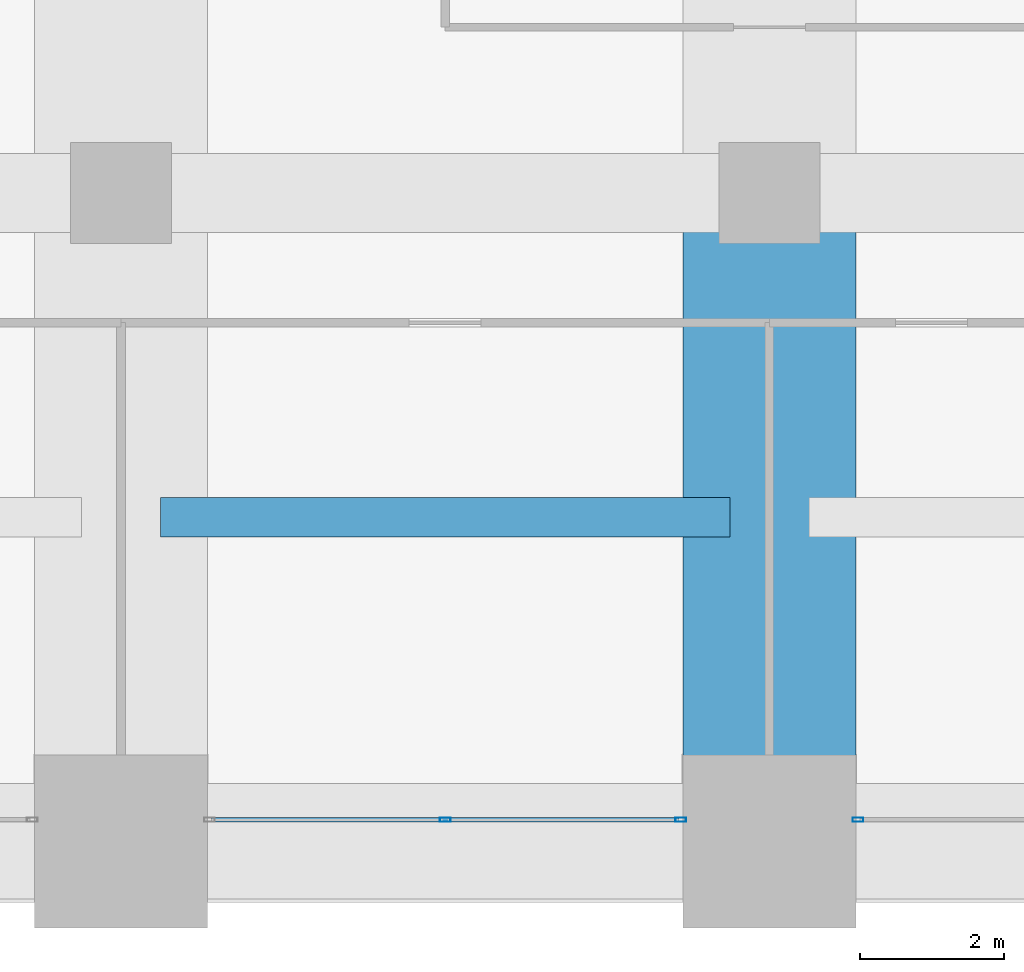
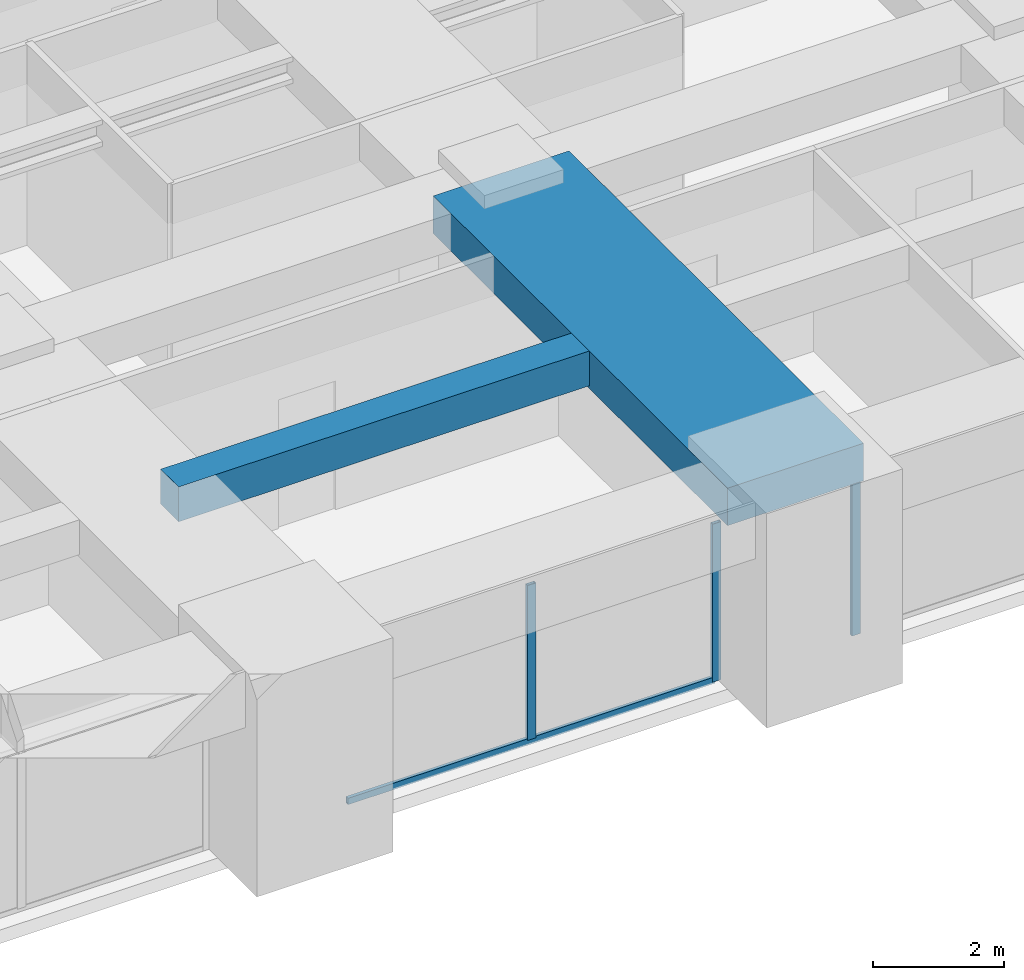
# One storey, part 13 of 35: 4 members, 2 beams, 2 elements without a shape of their own.
"""IFC4 building model written with IfcOpenShell, lengths in metres."""

from ifc_helpers import new_model, si_unit, direction, frame, origin, origin_2d, place, context, subcontext, project, spatial, rectangle, hollow_rectangle, extrude, material, material_profile, profile_set, type_object, element, aggregate, save


model = new_model("IFC4")

# Units and contexts
model_context = context("Model", 3, precision=1e-05, world=origin(), true_north=direction((0.0, 1.0)))
body_context = subcontext(model_context, "Body", "Model", "MODEL_VIEW")
ifc_project = project(units=[si_unit("LENGTHUNIT", "METRE"), si_unit("AREAUNIT", "SQUARE_METRE"), si_unit("VOLUMEUNIT", "CUBIC_METRE"), si_unit("PLANEANGLEUNIT", "RADIAN"), si_unit("MASSUNIT", "GRAM", prefix="KILO")], contexts=[model_context])

# Site, building, storey
site_placement = place(None, origin())
site = spatial("IfcSite", under=ifc_project, at=site_placement, CompositionType="ELEMENT")
building_placement = place(site_placement, origin())
building = spatial("IfcBuilding", under=site, at=building_placement, Name="Zorevar Civic Tower", CompositionType="ELEMENT")
storey_placement = place(building_placement, frame((0.0, 0.0, 218.199951171875)))
storey = spatial("IfcBuildingStorey", under=building, at=storey_placement, Name="L53", CompositionType="ELEMENT", Elevation=218.199951171875)

# Beams
ifc_material_1 = material(Name="Concrete C50/60", Category="concrete")
ifc_material_profile_1 = material_profile(ifc_material_1, rectangle(XDim=2.39990234375, YDim=0.699951171875, at=origin_2d()), Name="RC 2400x700")
ifc_profile_set_1 = profile_set([ifc_material_profile_1], Name="Concrete C50/60")
beam_type_1 = type_object("IfcBeamType", Name="Beam RC 2400x700", PredefinedType="BEAM", material=ifc_profile_set_1)
beam_1_placement = place(storey_placement, frame((36.0, 0.0, 3.400146484375), z_axis=(0.0, 1.0, 0.0), x_axis=(-1.0, 0.0, 0.0)))
element("IfcBeam", 1, at=beam_1_placement, inside=storey, type_object=beam_type_1, Name="Girder L54", PredefinedType="BEAM", context=body_context, shape_type="SweptSolid", body=[
    extrude(rectangle(XDim=2.39990234375, YDim=0.699951171875, at=origin_2d()), origin(), (0.0, 0.0, 1.0), 9.0),
])
ifc_material_2 = material(Name="Concrete C50/60", Category="concrete")
ifc_material_profile_2 = material_profile(ifc_material_2, rectangle(XDim=0.550048828125, YDim=0.64990234375, at=origin_2d()), Name="RC 550x650")
ifc_profile_set_2 = profile_set([ifc_material_profile_2], Name="Concrete C50/60")
beam_type_2 = type_object("IfcBeamType", Name="Beam RC 550x650", PredefinedType="BEAM", material=ifc_profile_set_2)
beam_2_placement = place(storey_placement, frame((27.550048828125, 4.5, 3.425048828125), z_axis=(1.0, 0.0, 0.0), x_axis=(0.0, 1.0, 0.0)))
element("IfcBeam", 2, at=beam_2_placement, inside=storey, type_object=beam_type_2, Name="Secondary beam L54", PredefinedType="BEAM", context=body_context, shape_type="SweptSolid", body=[
    extrude(rectangle(XDim=0.550048828125, YDim=0.64990234375, at=origin_2d()), origin(), (0.0, 0.0, 1.0), 7.89990234375),
])

# Curtain wall, members
ifc_material_3 = material(Name="Dark grey solar-control glass in black aluminium frame", Category="aluminium")
curtain_wall_type = type_object("IfcCurtainWallType", Name="Curtain wall CW4 high zone", PredefinedType="NOTDEFINED", material=ifc_material_3)
curtain_wall_1_placement = place(storey_placement, origin())
curtain_wall_1 = element("IfcCurtainWall", 3, at=curtain_wall_1_placement, inside=storey, type_object=curtain_wall_type, Name="CW4 L53", PredefinedType="NOTDEFINED")
ifc_material_4 = material(Name="Aluminium, black anodised", Category="aluminium")
ifc_material_profile_3 = material_profile(ifc_material_4, hollow_rectangle(XDim=0.06005859375, YDim=0.14990234375, WallThickness=0.00390625, at=origin_2d()), Name="AL 150x60x4")
ifc_profile_set_3 = profile_set([ifc_material_profile_3], Name="Aluminium, black anodised")
member_type_1 = type_object("IfcMemberType", Name="CW4 mullion AL 150x60x4", PredefinedType="MULLION", material=ifc_profile_set_3)
member_1_placement = place(storey_placement, frame((31.5, 0.300048828125, 0.06005859375), z_axis=(0.0, 0.0, 1.0), x_axis=(0.0, 1.0, 0.0)))
member_1 = element("IfcMember", 4, at=member_1_placement, type_object=member_type_1, Name="CW4 mullion 2", PredefinedType="MULLION", context=body_context, shape_type="SweptSolid", body=[
    extrude(hollow_rectangle(XDim=0.06005859375, YDim=0.14990234375, WallThickness=0.00390625, at=origin_2d()), origin(), (0.0, 0.0, 1.0), 2.889892578125),
])
member_2_placement = place(storey_placement, frame((34.77001953125, 0.300048828125, 0.0), z_axis=(0.0, 0.0, 1.0), x_axis=(0.0, 1.0, 0.0)))
member_2 = element("IfcMember", 5, at=member_2_placement, type_object=member_type_1, Name="CW4 mullion 3", PredefinedType="MULLION", context=body_context, shape_type="SweptSolid", body=[
    extrude(hollow_rectangle(XDim=0.06005859375, YDim=0.14990234375, WallThickness=0.00390625, at=origin_2d()), origin(), (0.0, 0.0, 1.0), 2.949951171875),
])

# Curtain wall, member
curtain_wall_2_placement = place(storey_placement, origin())
curtain_wall_2 = element("IfcCurtainWall", 6, at=curtain_wall_2_placement, inside=storey, type_object=curtain_wall_type, Name="CW4 L53", PredefinedType="NOTDEFINED")
member_3_placement = place(storey_placement, frame((37.22998046875, 0.300048828125, 0.0), z_axis=(0.0, 0.0, 1.0), x_axis=(0.0, 1.0, 0.0)))
member_3 = element("IfcMember", 7, at=member_3_placement, type_object=member_type_1, Name="CW4 mullion 1", PredefinedType="MULLION", context=body_context, shape_type="SweptSolid", body=[
    extrude(hollow_rectangle(XDim=0.06005859375, YDim=0.14990234375, WallThickness=0.00390625, at=origin_2d()), origin(), (0.0, 0.0, 1.0), 2.949951171875),
])
aggregate(curtain_wall_2, [member_3])

# Member
ifc_material_5 = material(Name="Aluminium, black anodised", Category="aluminium")
ifc_material_profile_4 = material_profile(ifc_material_5, hollow_rectangle(XDim=0.06005859375, YDim=0.1201171875, WallThickness=0.0029296875, at=origin_2d()), Name="AL 120x60x3")
ifc_profile_set_4 = profile_set([ifc_material_profile_4], Name="Aluminium, black anodised")
member_type_2 = type_object("IfcMemberType", Name="CW4 transom AL 120x60x3", PredefinedType="USERDEFINED", material=ifc_profile_set_4)
member_4_placement = place(storey_placement, frame((28.260009765625, 0.300048828125, 0.030029296875), z_axis=(1.0, 0.0, 0.0), x_axis=(0.0, 1.0, 0.0)))
member_4 = element("IfcMember", 8, at=member_4_placement, type_object=member_type_2, Name="CW4 sill transom", ObjectType="TRANSOM", PredefinedType="USERDEFINED", context=body_context, shape_type="SweptSolid", body=[
    extrude(hollow_rectangle(XDim=0.06005859375, YDim=0.1201171875, WallThickness=0.0029296875, at=origin_2d()), origin(), (0.0, 0.0, 1.0), 6.47998046875),
])

aggregate(curtain_wall_1, [member_1, member_2, member_4])

save(model, "model.ifc")
